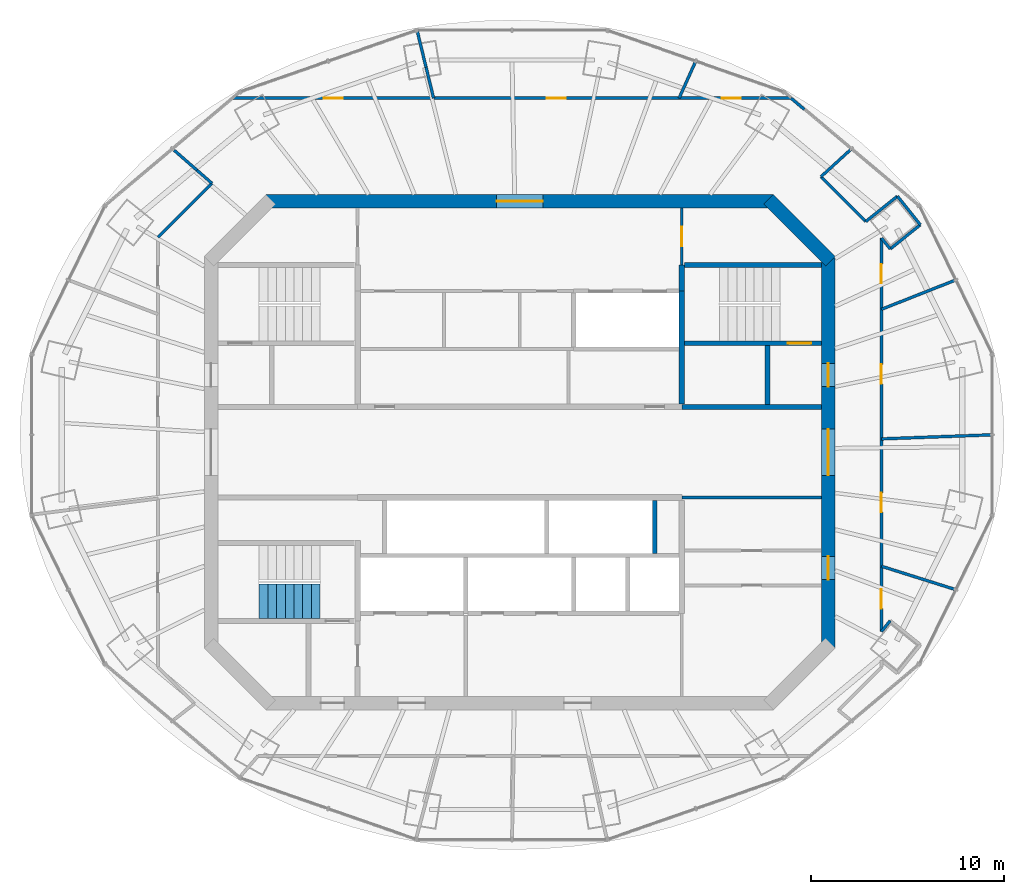
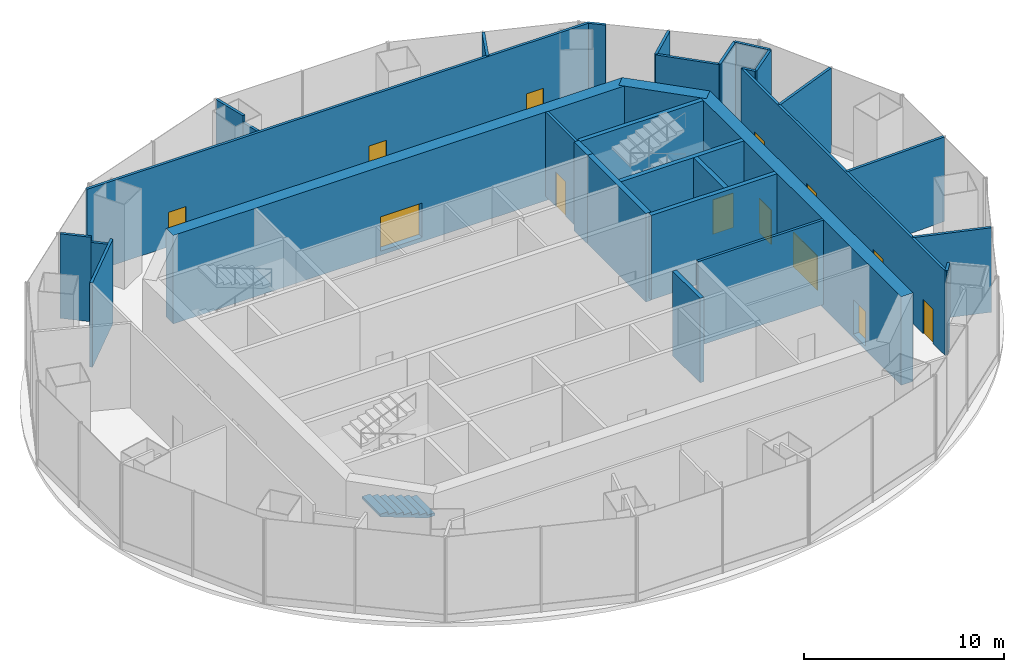
# One storey, part 9 of 11: 31 walls, 13 doors, 1 stair flight, 13 openings, 1 element without a shape of its own.
"""IFC4 building model written with IfcOpenShell, lengths in metres."""

import ifcopenshell
import ifcopenshell.guid

model = None  # the IFC model being written
_history = None  # IfcOwnerHistory: only IFC2X3 demands one
_inside = {}  # id of a spatial element -> (the spatial element, [elements in it])
_under = {}  # id of a project, library or spatial element -> (it, [spatial elements below it])
_declared = {}  # id of a project -> (the project, [libraries it declares])
_typed = {}  # id of a type object -> (the type object, [elements of that type])
_made_of = {}  # id of a material, layer set ... -> (it, [elements and type objects made of it])


def new_model(schema):
    """Start an empty IFC model of exactly this schema.

    Asked for "IFC4X3", IfcOpenShell would pick the latest addendum, in which some entities
    have other attributes; the version numbers below select the first issue.
    IFC2X3 requires an IfcOwnerHistory on every rooted entity: one is made here for all.
    """
    global model, _history
    if schema == "IFC4X3":
        model = ifcopenshell.file(schema_version=(4, 3, 0, 0))
    else:
        model = ifcopenshell.file(schema=schema)
    _inside.clear()
    _under.clear()
    _declared.clear()
    _typed.clear()
    _made_of.clear()
    _history = None
    if model.schema == "IFC2X3":
        org = make("IfcOrganization", Name="unknown")
        user = make(
            "IfcPersonAndOrganization",
            ThePerson=make("IfcPerson", FamilyName="unknown"),
            TheOrganization=org,
        )
        app = make(
            "IfcApplication",
            ApplicationDeveloper=org,
            Version="unknown",
            ApplicationFullName="unknown",
            ApplicationIdentifier="unknown",
        )
        _history = make(
            "IfcOwnerHistory",
            OwningUser=user,
            OwningApplication=app,
            ChangeAction="ADDED",
            CreationDate=0,
        )
    return model


def make(cls, **values):
    """One entity of the class cls with the attributes given. An attribute that is None is left unset."""
    return model.create_entity(
        cls, **{name: value for name, value in values.items() if value is not None}
    )


def rooted(cls, **values):
    """An entity with a GlobalId (a new one), such as an element, a storey or a relation."""
    return make(cls, GlobalId=ifcopenshell.guid.new(), OwnerHistory=_history, **values)


def si_unit(unit_type, name, prefix=None):
    """IfcSIUnit, for example si_unit("LENGTHUNIT", "METRE", prefix="MILLI")."""
    return make("IfcSIUnit", UnitType=unit_type, Prefix=prefix, Name=name)


def assignment(units):
    """IfcUnitAssignment: the units of a project."""
    return None if units is None else make("IfcUnitAssignment", Units=units)


def point(xyz):
    """IfcCartesianPoint."""
    return None if xyz is None else make("IfcCartesianPoint", Coordinates=xyz)


def direction(xyz):
    """IfcDirection."""
    return None if xyz is None else make("IfcDirection", DirectionRatios=xyz)


def frame(location, z_axis=None, x_axis=None):
    """IfcAxis2Placement3D, a coordinate frame: its origin and axes. An axis left out is left unset."""
    return make(
        "IfcAxis2Placement3D",
        Location=point(location),
        Axis=direction(z_axis),
        RefDirection=direction(x_axis),
    )


def frame_2d(location, x_axis=None):
    """IfcAxis2Placement2D, a coordinate frame in the plane: its origin and x axis."""
    return make(
        "IfcAxis2Placement2D", Location=point(location), RefDirection=direction(x_axis)
    )


def origin():
    """The frame at (0, 0, 0) with its axes left unset."""
    return frame((0.0, 0.0, 0.0))


def place(relative_to, where):
    """IfcLocalPlacement: puts the frame where relative to a parent placement (None: the world)."""
    return make(
        "IfcLocalPlacement", PlacementRelTo=relative_to, RelativePlacement=where
    )


def context(
    kind, dimensions, precision=None, world=None, true_north=None, identifier=None
):
    """IfcGeometricRepresentationContext, for example the 3D "Model" context."""
    return make(
        "IfcGeometricRepresentationContext",
        ContextIdentifier=identifier,
        ContextType=kind,
        CoordinateSpaceDimension=dimensions,
        Precision=precision,
        WorldCoordinateSystem=world,
        TrueNorth=true_north,
    )


def subcontext(parent, identifier, kind, view, scale=None):
    """IfcGeometricRepresentationSubContext, for example "Body" below "Model"."""
    return make(
        "IfcGeometricRepresentationSubContext",
        ContextIdentifier=identifier,
        ContextType=kind,
        ParentContext=parent,
        TargetScale=scale,
        TargetView=view,
    )


def project(units=None, contexts=None):
    """IfcProject with its units and contexts."""
    return rooted(
        "IfcProject",
        Name="project",
        RepresentationContexts=contexts,
        UnitsInContext=assignment(units),
    )


def spatial(cls, under=None, at=None, **own):
    """A site, building, storey or space (cls), placed at a placement, below another one or the project."""
    s = rooted(cls, ObjectPlacement=at, **own)
    if under is not None:
        _under.setdefault(under.id(), (under, []))[1].append(s)
    return s


def polyline(points):
    """IfcPolyline through the points."""
    return make("IfcPolyline", Points=[point(p) for p in points])


def profile(cls, at=None, kind="AREA", **sizes):
    """A parametric profile (cls). Its sizes go by their IFC names, for example OverallWidth=200.0."""
    return make(cls, ProfileType=kind, Position=at, **sizes)


def rectangle(**sizes):
    """IfcRectangleProfileDef."""
    return profile("IfcRectangleProfileDef", **sizes)


def outline(outer, holes=None, kind="AREA"):
    """IfcArbitraryClosedProfileDef: a profile drawn as a closed curve; with holes, ...WithVoids."""
    if holes is None:
        return make("IfcArbitraryClosedProfileDef", ProfileType=kind, OuterCurve=outer)
    return make(
        "IfcArbitraryProfileDefWithVoids",
        ProfileType=kind,
        OuterCurve=outer,
        InnerCurves=holes,
    )


def extrude(swept, where, along, depth):
    """IfcExtrudedAreaSolid: the profile swept, set in the frame where, extruded along a direction by depth."""
    return make(
        "IfcExtrudedAreaSolid",
        SweptArea=swept,
        Position=where,
        ExtrudedDirection=direction(along),
        Depth=depth,
    )


def shape(context_of_items, identifier, shape_type, items):
    """IfcShapeRepresentation: the items that make up one representation, for example the "Body"."""
    return make(
        "IfcShapeRepresentation",
        ContextOfItems=context_of_items,
        RepresentationIdentifier=identifier,
        RepresentationType=shape_type,
        Items=items,
    )


def material(Name=None, Category=None):
    """IfcMaterial."""
    return make("IfcMaterial", Name=Name, Category=Category)


def layer(
    of_material, thickness, ventilated=None, Name=None, Category=None, Priority=None
):
    """IfcMaterialLayer: one layer of a wall or slab, of a material (None: an air gap)."""
    return make(
        "IfcMaterialLayer",
        Material=of_material,
        LayerThickness=thickness,
        IsVentilated=ventilated,
        Name=Name,
        Category=Category,
        Priority=Priority,
    )


def layer_set(layers, Name=None):
    """IfcMaterialLayerSet."""
    return make("IfcMaterialLayerSet", MaterialLayers=layers, LayerSetName=Name)


def made_of(thing, what):
    """Note that an element or type object is made of a material, layer set ...; save() writes the relation."""
    if what is not None:
        _made_of.setdefault(what.id(), (what, []))[1].append(thing)
    return thing


def type_object(cls, material=None, **own):
    """A type object (cls), such as IfcWallType, which elements share."""
    return made_of(rooted(cls, **own), material)


def element(
    cls,
    number,
    at=None,
    inside=None,
    cuts=None,
    type_object=None,
    material=None,
    context=None,
    identifier="Body",
    shape_type=None,
    held_by="IfcProductDefinitionShape",
    body=None,
    shapes=None,
    **own,
):
    """One element of the class cls, such as IfcWall. Its Tag is "e" and its number.

    at: its placement. inside: the storey or other place that contains it. cuts: it is an
    opening in that element (IfcRelVoidsElement). A single representation is given by context,
    identifier, shape_type and body (its items); several are given by shapes. held_by: the class
    of the entity that holds the representations. save() writes the other relations.
    """
    e = rooted(cls, Tag="e%d" % number, ObjectPlacement=at, **own)
    if body is not None:
        shapes = [shape(context, identifier, shape_type, body)]
    if shapes is not None:
        e.Representation = make(held_by, Representations=shapes)
    if inside is not None:
        _inside.setdefault(inside.id(), (inside, []))[1].append(e)
    if cuts is not None:
        rooted(
            "IfcRelVoidsElement", RelatingBuildingElement=cuts, RelatedOpeningElement=e
        )
    if type_object is not None:
        _typed.setdefault(type_object.id(), (type_object, []))[1].append(e)
    return made_of(e, material)


def fill(opening, filler):
    """IfcRelFillsElement: the door or window that sits in an opening."""
    return rooted(
        "IfcRelFillsElement",
        RelatingOpeningElement=opening,
        RelatedBuildingElement=filler,
    )


def aggregate(whole, parts):
    """IfcRelAggregates: a whole, such as a stair, and the parts it consists of."""
    return rooted("IfcRelAggregates", RelatingObject=whole, RelatedObjects=parts)


def save(model, path):
    """Write the relations noted so far, then the file.

    IfcRelAggregates (storeys below a building ...), IfcRelContainedInSpatialStructure (elements
    in a storey), IfcRelDefinesByType, IfcRelAssociatesMaterial and IfcRelDeclares: one each for
    every whole, place, type object, material and project.
    """
    for whole, parts in _under.values():
        aggregate(whole, parts)
    for where, things in _inside.values():
        rooted(
            "IfcRelContainedInSpatialStructure",
            RelatedElements=things,
            RelatingStructure=where,
        )
    for kind, things in _typed.values():
        rooted("IfcRelDefinesByType", RelatedObjects=things, RelatingType=kind)
    for what, things in _made_of.values():
        rooted("IfcRelAssociatesMaterial", RelatedObjects=things, RelatingMaterial=what)
    for by, libraries in _declared.values():
        rooted("IfcRelDeclares", RelatingContext=by, RelatedDefinitions=libraries)
    model.write(path)


model = new_model("IFC4")

# Units and contexts
model_context = context("Model", 3, precision=1e-05, world=origin(), true_north=direction((0.0, 1.0)))
body_context = subcontext(model_context, "Body", "Model", "MODEL_VIEW")
ifc_project = project(units=[si_unit("LENGTHUNIT", "METRE"), si_unit("AREAUNIT", "SQUARE_METRE"), si_unit("VOLUMEUNIT", "CUBIC_METRE"), si_unit("PLANEANGLEUNIT", "RADIAN"), si_unit("MASSUNIT", "GRAM", prefix="KILO")], contexts=[model_context])

# Site, building, storey
site_placement = place(None, origin())
site = spatial("IfcSite", under=ifc_project, at=site_placement, CompositionType="ELEMENT")
building_placement = place(site_placement, origin())
building = spatial("IfcBuilding", under=site, at=building_placement, Name="Marenthal Gate Tower", CompositionType="ELEMENT")
storey_placement = place(building_placement, frame((0.0, 0.0, 396.550048828125)))
storey = spatial("IfcBuildingStorey", under=building, at=storey_placement, Name="L90", CompositionType="ELEMENT", Elevation=396.550048828125)

# Wall, openings, doors
ifc_material_1 = material(Name="Concrete 60 MPa", Category="concrete")
ifc_layer_1 = layer(ifc_material_1, 0.699951171875)
ifc_layer_set_1 = layer_set([ifc_layer_1], Name="Core shear wall 700")
wall_type_1 = type_object("IfcWallType", Name="Core shear wall 700", PredefinedType="SHEAR", material=ifc_layer_set_1)
wall_1_placement = place(storey_placement, frame((16.0, -10.14501953125, -0.25), z_axis=(0.0, 0.0, 1.0), x_axis=(0.0, 1.0, 0.0)))
wall_1 = element("IfcWall", 1, at=wall_1_placement, inside=storey, type_object=wall_type_1, Name="Core wall 02", PredefinedType="SHEAR", context=body_context, shape_type="SweptSolid", body=[
    extrude(rectangle(XDim=20.2900390625, YDim=0.699951171875, at=frame_2d((10.14501953125, 0.0))), origin(), (0.0, 0.0, 1.0), 5.39990234375),
])
opening_1_placement = place(wall_1_placement, frame((8.945068359375, 0.0, 0.25)))
opening_1 = element("IfcOpeningElement", 2, at=opening_1_placement, cuts=wall_1, Name="Opening D003.02", PredefinedType="OPENING", context=body_context, shape_type="SweptSolid", body=[
    extrude(rectangle(XDim=2.39990234375, YDim=2.10009765625, at=frame_2d((1.199951171875, 1.050048828125))), frame((0.0, 0.35986328125, 0.0), z_axis=(0.0, -1.0, 0.0), x_axis=(1.0, 0.0, 0.0)), (0.0, 0.0, 1.0), 0.719970703125),
])
opening_2_placement = place(wall_1_placement, frame((13.544921875, 0.0, 0.25)))
opening_2 = element("IfcOpeningElement", 3, at=opening_2_placement, cuts=wall_1, Name="Opening D001.05", PredefinedType="OPENING", context=body_context, shape_type="SweptSolid", body=[
    extrude(rectangle(XDim=1.199951171875, YDim=2.10009765625, at=frame_2d((0.60009765625, 1.050048828125))), frame((0.0, 0.35986328125, 0.0), z_axis=(0.0, -1.0, 0.0), x_axis=(1.0, 0.0, 0.0)), (0.0, 0.0, 1.0), 0.719970703125),
])
opening_3_placement = place(wall_1_placement, frame((3.544921875, 0.0, 0.25)))
opening_3 = element("IfcOpeningElement", 4, at=opening_3_placement, cuts=wall_1, Name="Opening D006.01", PredefinedType="OPENING", context=body_context, shape_type="SweptSolid", body=[
    extrude(rectangle(XDim=1.199951171875, YDim=2.10009765625, at=frame_2d((0.60009765625, 1.050048828125))), frame((0.0, 0.35986328125, 0.0), z_axis=(0.0, -1.0, 0.0), x_axis=(1.0, 0.0, 0.0)), (0.0, 0.0, 1.0), 0.719970703125),
])
ifc_material_2 = material(Name="Steel fire door", Category="steel")
door_type_1 = type_object("IfcDoorType", Name="Double fire door FD 45 2400 x 2100", OperationType="DOUBLE_DOOR_SINGLE_SWING", PredefinedType="DOOR", material=ifc_material_2)
door_1_placement = place(opening_1_placement, origin())
door_1 = element("IfcDoor", 5, at=door_1_placement, inside=storey, type_object=door_type_1, Name="Door D003.02", OperationType="DOUBLE_DOOR_SINGLE_SWING", OverallHeight=2.10009765625, OverallWidth=2.39990234375, PredefinedType="DOOR", context=body_context, shape_type="SweptSolid", body=[
    extrude(rectangle(XDim=2.39990234375, YDim=2.10009765625, at=frame_2d((1.199951171875, 1.050048828125))), frame((0.0, 0.02490234375, 0.0), z_axis=(0.0, -1.0, 0.0), x_axis=(1.0, 0.0, 0.0)), (0.0, 0.0, 1.0), 0.050048828125),
])
fill(opening_1, door_1)
ifc_material_3 = material(Name="Steel fire door", Category="steel")
door_type_2 = type_object("IfcDoorType", Name="Fire door FD 45 1200 x 2100", OperationType="NOTDEFINED", PredefinedType="DOOR", material=ifc_material_3)
door_2_placement = place(opening_3_placement, origin())
door_2 = element("IfcDoor", 6, at=door_2_placement, inside=storey, type_object=door_type_2, Name="Door D006.01", OperationType="SINGLE_SWING_RIGHT", OverallHeight=2.10009765625, OverallWidth=1.199951171875, PredefinedType="DOOR", context=body_context, shape_type="SweptSolid", body=[
    extrude(rectangle(XDim=1.199951171875, YDim=2.10009765625, at=frame_2d((0.60009765625, 1.050048828125))), frame((0.0, 0.02490234375, 0.0), z_axis=(0.0, -1.0, 0.0), x_axis=(1.0, 0.0, 0.0)), (0.0, 0.0, 1.0), 0.050048828125),
])
fill(opening_3, door_2)
ifc_material_4 = material(Name="Steel fire door", Category="steel")
door_type_3 = type_object("IfcDoorType", Name="Fire door FD 90 1200 x 2100", OperationType="NOTDEFINED", PredefinedType="DOOR", material=ifc_material_4)
door_3_placement = place(opening_2_placement, origin())
door_3 = element("IfcDoor", 7, at=door_3_placement, inside=storey, type_object=door_type_3, Name="Door D001.05", OperationType="SINGLE_SWING_RIGHT", OverallHeight=2.10009765625, OverallWidth=1.199951171875, PredefinedType="DOOR", context=body_context, shape_type="SweptSolid", body=[
    extrude(rectangle(XDim=1.199951171875, YDim=2.10009765625, at=frame_2d((0.60009765625, 1.050048828125))), frame((0.0, 0.02490234375, 0.0), z_axis=(0.0, -1.0, 0.0), x_axis=(1.0, 0.0, 0.0)), (0.0, 0.0, 1.0), 0.050048828125),
])
fill(opening_2, door_3)

# Wall
wall_2_placement = place(storey_placement, frame((16.1025390625, 9.8974609375, -0.25), z_axis=(0.0, 0.0, 1.0), x_axis=(-0.707106781187, 0.707106781187, 0.0)))
element("IfcWall", 8, at=wall_2_placement, inside=storey, type_object=wall_type_1, Name="Core wall 03", PredefinedType="SHEAR", context=body_context, shape_type="SweptSolid", body=[
    extrude(rectangle(XDim=4.53271484375, YDim=0.699951171875, at=frame_2d((2.266357421875, 0.0))), origin(), (0.0, 0.0, 1.0), 5.39990234375),
])

# Wall, opening, door
wall_3_placement = place(storey_placement, frame((13.14501953125, 13.0, -0.25), z_axis=(0.0, 0.0, 1.0), x_axis=(-1.0, 0.0, 0.0)))
wall_3 = element("IfcWall", 9, at=wall_3_placement, inside=storey, type_object=wall_type_1, Name="Core wall 04", PredefinedType="SHEAR", context=body_context, shape_type="SweptSolid", body=[
    extrude(rectangle(XDim=26.2900390625, YDim=0.699951171875, at=frame_2d((13.14501953125, 0.0))), origin(), (0.0, 0.0, 1.0), 5.39990234375),
])
opening_4_placement = place(wall_3_placement, frame((11.945068359375, 0.0, 0.25)))
opening_4 = element("IfcOpeningElement", 10, at=opening_4_placement, cuts=wall_3, Name="Opening D003.03", PredefinedType="OPENING", context=body_context, shape_type="SweptSolid", body=[
    extrude(rectangle(XDim=2.39990234375, YDim=2.10009765625, at=frame_2d((1.199951171875, 1.050048828125))), frame((0.0, 0.35986328125, 0.0), z_axis=(0.0, -1.0, 0.0), x_axis=(1.0, 0.0, 0.0)), (0.0, 0.0, 1.0), 0.719970703125),
])
door_4_placement = place(opening_4_placement, origin())
door_4 = element("IfcDoor", 11, at=door_4_placement, inside=storey, type_object=door_type_1, Name="Door D003.03", OperationType="DOUBLE_DOOR_SINGLE_SWING", OverallHeight=2.10009765625, OverallWidth=2.39990234375, PredefinedType="DOOR", context=body_context, shape_type="SweptSolid", body=[
    extrude(rectangle(XDim=2.39990234375, YDim=2.10009765625, at=frame_2d((1.199951171875, 1.050048828125))), frame((0.0, 0.02490234375, 0.0), z_axis=(0.0, -1.0, 0.0), x_axis=(1.0, 0.0, 0.0)), (0.0, 0.0, 1.0), 0.050048828125),
])
fill(opening_4, door_4)

# Walls
ifc_material_5 = material(Name="Concrete 50 MPa", Category="concrete")
ifc_layer_2 = layer(ifc_material_5, 0.300048828125)
ifc_layer_set_2 = layer_set([ifc_layer_2], Name="Hoistway shear wall 300")
wall_type_2 = type_object("IfcWallType", Name="Hoistway shear wall 300", PredefinedType="SHEAR", material=ifc_layer_set_2)
wall_4_placement = place(storey_placement, frame((8.39990234375, 2.5, -0.25), z_axis=(0.0, 0.0, 1.0), x_axis=(0.0, 1.0, 0.0)))
element("IfcWall", 12, at=wall_4_placement, inside=storey, type_object=wall_type_2, Name="Hoistway wall 50", PredefinedType="SHEAR", context=body_context, shape_type="SweptSolid", body=[
    extrude(rectangle(XDim=5.85009765625, YDim=0.300048828125, at=frame_2d((2.925048828125, 0.0))), origin(), (0.0, 0.0, 1.0), 5.39990234375),
])
ifc_material_6 = material(Name="Concrete 40 MPa", Category="concrete")
ifc_layer_3 = layer(ifc_material_6, 0.219970703125)
ifc_layer_set_3 = layer_set([ifc_layer_3], Name="Hoistway wall 220")
wall_type_3 = type_object("IfcWallType", Name="Hoistway wall 220", PredefinedType="STANDARD", material=ifc_layer_set_3)
wall_5_placement = place(storey_placement, frame((7.0, -5.239990234375, 0.0), z_axis=(0.0, 0.0, 1.0), x_axis=(0.0, 1.0, 0.0)))
element("IfcWall", 13, at=wall_5_placement, inside=storey, type_object=wall_type_3, Name="Hoistway wall 47", PredefinedType="STANDARD", context=body_context, shape_type="SweptSolid", body=[
    extrude(rectangle(XDim=2.739990234375, YDim=0.219970703125, at=frame_2d((1.3701171875, 0.0))), origin(), (0.0, 0.0, 1.0), 5.14990234375),
])
ifc_material_7 = material(Name="Gypsum board on steel studs", Category="steel")
ifc_layer_4 = layer(ifc_material_7, 0.14990234375)
ifc_layer_set_4 = layer_set([ifc_layer_4], Name="Partition 150")
wall_type_4 = type_object("IfcWallType", Name="Partition 150", PredefinedType="PARTITIONING", material=ifc_layer_set_4)
wall_6_placement = place(storey_placement, frame((8.39990234375, -2.35009765625, 0.0), z_axis=(0.0, 0.0, 1.0), x_axis=(1.0, 0.0, 0.0)))
element("IfcWall", 14, at=wall_6_placement, inside=storey, type_object=wall_type_4, Name="Partition wall 18", PredefinedType="PARTITIONING", context=body_context, shape_type="SweptSolid", body=[
    extrude(rectangle(XDim=7.25, YDim=0.14990234375, at=frame_2d((3.625, 0.0))), origin(), (0.0, 0.0, 1.0), 5.14990234375),
])

# Wall, opening, door
wall_7_placement = place(storey_placement, frame((8.39990234375, 9.699951171875, 0.0), z_axis=(0.0, 0.0, 1.0), x_axis=(0.0, 1.0, 0.0)))
wall_7 = element("IfcWall", 15, at=wall_7_placement, inside=storey, type_object=wall_type_4, Name="Partition wall 52", PredefinedType="PARTITIONING", context=body_context, shape_type="SweptSolid", body=[
    extrude(rectangle(XDim=2.949951171875, YDim=0.14990234375, at=frame_2d((1.47509765625, 0.0))), origin(), (0.0, 0.0, 1.0), 5.14990234375),
])
opening_5_placement = place(wall_7_placement, frame((0.97509765625, 0.0, 0.0)))
opening_5 = element("IfcOpeningElement", 16, at=opening_5_placement, cuts=wall_7, Name="Opening D005.07", PredefinedType="OPENING", context=body_context, shape_type="SweptSolid", body=[
    extrude(rectangle(XDim=1.0, YDim=2.10009765625, at=frame_2d((0.5, 1.050048828125))), frame((0.0, 0.0849609375, 0.0), z_axis=(0.0, -1.0, 0.0), x_axis=(1.0, 0.0, 0.0)), (0.0, 0.0, 1.0), 0.169921875),
])
ifc_material_8 = material(Name="Steel fire door", Category="steel")
door_type_4 = type_object("IfcDoorType", Name="Fire door FD 45 1000 x 2100", OperationType="NOTDEFINED", PredefinedType="DOOR", material=ifc_material_8)
door_5_placement = place(opening_5_placement, frame((1.0, 0.0, 0.0), z_axis=(0.0, 0.0, 1.0), x_axis=(-1.0, 0.0, 0.0)))
door_5 = element("IfcDoor", 17, at=door_5_placement, inside=storey, type_object=door_type_4, Name="Door D005.07", OperationType="SINGLE_SWING_LEFT", OverallHeight=2.10009765625, OverallWidth=1.0, PredefinedType="DOOR", context=body_context, shape_type="SweptSolid", body=[
    extrude(rectangle(XDim=1.0, YDim=2.10009765625, at=frame_2d((0.5, 1.050048828125))), frame((0.0, 0.02490234375, 0.0), z_axis=(0.0, -1.0, 0.0), x_axis=(1.0, 0.0, 0.0)), (0.0, 0.0, 1.0), 0.050048828125),
])
fill(opening_5, door_5)

# Wall, openings, doors
wall_8_placement = place(storey_placement, frame((-14.857421875, 18.35009765625, 0.0), z_axis=(0.0, 0.0, 1.0), x_axis=(1.0, 0.0, 0.0)))
wall_8 = element("IfcWall", 18, at=wall_8_placement, inside=storey, type_object=wall_type_4, Name="Partition wall 55", PredefinedType="PARTITIONING", context=body_context, shape_type="SweptSolid", body=[
    extrude(rectangle(XDim=28.914794921875, YDim=0.14990234375, at=frame_2d((14.45751953125, 0.0))), origin(), (0.0, 0.0, 1.0), 5.14990234375),
])
opening_6_placement = place(wall_8_placement, frame((25.316162109375, 0.0, 0.0)))
opening_6 = element("IfcOpeningElement", 19, at=opening_6_placement, cuts=wall_8, Name="Opening D012.03", PredefinedType="OPENING", context=body_context, shape_type="SweptSolid", body=[
    extrude(rectangle(XDim=1.0, YDim=2.10009765625, at=frame_2d((0.5, 1.050048828125))), frame((0.0, 0.0849609375, 0.0), z_axis=(0.0, -1.0, 0.0), x_axis=(1.0, 0.0, 0.0)), (0.0, 0.0, 1.0), 0.169921875),
])
opening_7_placement = place(wall_8_placement, frame((16.2548828125, 0.0, 0.0)))
opening_7 = element("IfcOpeningElement", 20, at=opening_7_placement, cuts=wall_8, Name="Opening D012.04", PredefinedType="OPENING", context=body_context, shape_type="SweptSolid", body=[
    extrude(rectangle(XDim=1.0, YDim=2.10009765625, at=frame_2d((0.5, 1.050048828125))), frame((0.0, 0.0849609375, 0.0), z_axis=(0.0, -1.0, 0.0), x_axis=(1.0, 0.0, 0.0)), (0.0, 0.0, 1.0), 0.169921875),
])
opening_8_placement = place(wall_8_placement, frame((4.696044921875, 0.0, 0.0)))
opening_8 = element("IfcOpeningElement", 21, at=opening_8_placement, cuts=wall_8, Name="Opening D012.05", PredefinedType="OPENING", context=body_context, shape_type="SweptSolid", body=[
    extrude(rectangle(XDim=1.0, YDim=2.10009765625, at=frame_2d((0.5, 1.050048828125))), frame((0.0, 0.0849609375, 0.0), z_axis=(0.0, -1.0, 0.0), x_axis=(1.0, 0.0, 0.0)), (0.0, 0.0, 1.0), 0.169921875),
])
ifc_material_9 = material(Name="Timber door", Category="wood")
door_type_5 = type_object("IfcDoorType", Name="Door 1000 x 2100", OperationType="NOTDEFINED", PredefinedType="DOOR", material=ifc_material_9)
door_6_placement = place(opening_6_placement, origin())
door_6 = element("IfcDoor", 22, at=door_6_placement, inside=storey, type_object=door_type_5, Name="Door D012.03", OperationType="SINGLE_SWING_RIGHT", OverallHeight=2.10009765625, OverallWidth=1.0, PredefinedType="DOOR", context=body_context, shape_type="SweptSolid", body=[
    extrude(rectangle(XDim=1.0, YDim=2.10009765625, at=frame_2d((0.5, 1.050048828125))), frame((0.0, 0.02490234375, 0.0), z_axis=(0.0, -1.0, 0.0), x_axis=(1.0, 0.0, 0.0)), (0.0, 0.0, 1.0), 0.050048828125),
])
fill(opening_6, door_6)
door_7_placement = place(opening_7_placement, origin())
door_7 = element("IfcDoor", 23, at=door_7_placement, inside=storey, type_object=door_type_5, Name="Door D012.04", OperationType="SINGLE_SWING_RIGHT", OverallHeight=2.10009765625, OverallWidth=1.0, PredefinedType="DOOR", context=body_context, shape_type="SweptSolid", body=[
    extrude(rectangle(XDim=1.0, YDim=2.10009765625, at=frame_2d((0.5, 1.050048828125))), frame((0.0, 0.02490234375, 0.0), z_axis=(0.0, -1.0, 0.0), x_axis=(1.0, 0.0, 0.0)), (0.0, 0.0, 1.0), 0.050048828125),
])
fill(opening_7, door_7)
door_8_placement = place(opening_8_placement, origin())
door_8 = element("IfcDoor", 24, at=door_8_placement, inside=storey, type_object=door_type_5, Name="Door D012.05", OperationType="SINGLE_SWING_RIGHT", OverallHeight=2.10009765625, OverallWidth=1.0, PredefinedType="DOOR", context=body_context, shape_type="SweptSolid", body=[
    extrude(rectangle(XDim=1.0, YDim=2.10009765625, at=frame_2d((0.5, 1.050048828125))), frame((0.0, 0.02490234375, 0.0), z_axis=(0.0, -1.0, 0.0), x_axis=(1.0, 0.0, 0.0)), (0.0, 0.0, 1.0), 0.050048828125),
])
fill(opening_8, door_8)

# Walls
wall_9_placement = place(storey_placement, frame((18.75, 0.68896484375, 0.0), z_axis=(0.0, 0.0, 1.0), x_axis=(0.999324436598, 0.036751468252, 0.0)))
element("IfcWall", 25, at=wall_9_placement, inside=storey, type_object=wall_type_4, Name="Partition wall 56", PredefinedType="PARTITIONING", context=body_context, shape_type="SweptSolid", body=[
    extrude(rectangle(XDim=5.726318359375, YDim=0.14990234375, at=frame_2d((2.86328125, 0.0))), origin(), (0.0, 0.0, 1.0), 5.14990234375),
])
wall_10_placement = place(storey_placement, frame((18.75, 7.405029296875, 0.0), z_axis=(0.0, 0.0, 1.0), x_axis=(0.930087514152, 0.367338013305, 0.0)))
element("IfcWall", 26, at=wall_10_placement, inside=storey, type_object=wall_type_4, Name="Partition wall 58", PredefinedType="PARTITIONING", context=body_context, shape_type="SweptSolid", body=[
    extrude(rectangle(XDim=4.11669921875, YDim=0.14990234375, at=frame_2d((2.058349609375, 0.0))), origin(), (0.0, 0.0, 1.0), 5.14990234375),
])
wall_11_placement = place(storey_placement, frame((19.2041015625, 10.533447265625, 0.0), z_axis=(0.0, 0.0, 1.0), x_axis=(0.779700462406, 0.626152688187, 0.0)))
element("IfcWall", 27, at=wall_11_placement, inside=storey, type_object=wall_type_4, Name="Partition wall 60", PredefinedType="PARTITIONING", context=body_context, shape_type="SweptSolid", body=[
    extrude(rectangle(XDim=2.000244140625, YDim=0.14990234375, at=frame_2d((1.0, 0.0))), origin(), (0.0, 0.0, 1.0), 5.14990234375),
])
wall_12_placement = place(storey_placement, frame((17.936767578125, 11.952392578125, 0.0), z_axis=(0.0, 0.0, 1.0), x_axis=(0.779676200118, 0.626182898976, 0.0)))
element("IfcWall", 28, at=wall_12_placement, inside=storey, type_object=wall_type_4, Name="Partition wall 61", PredefinedType="PARTITIONING", context=body_context, shape_type="SweptSolid", body=[
    extrude(rectangle(XDim=2.099609375, YDim=0.14990234375, at=frame_2d((1.0498046875, 0.0))), origin(), (0.0, 0.0, 1.0), 5.14990234375),
])
wall_13_placement = place(storey_placement, frame((15.613525390625, 14.275634765625, 0.0), z_axis=(0.0, 0.0, 1.0), x_axis=(0.738014143535, 0.674785242831, 0.0)))
element("IfcWall", 29, at=wall_13_placement, inside=storey, type_object=wall_type_4, Name="Partition wall 62", PredefinedType="PARTITIONING", context=body_context, shape_type="SweptSolid", body=[
    extrude(rectangle(XDim=2.13134765625, YDim=0.14990234375, at=frame_2d((1.065673828125, 0.0))), origin(), (0.0, 0.0, 1.0), 5.14990234375),
])
wall_14_placement = place(storey_placement, frame((-18.75, 11.13916015625, 0.0), z_axis=(0.0, 0.0, 1.0), x_axis=(0.707106781187, 0.707106781187, 0.0)))
element("IfcWall", 30, at=wall_14_placement, inside=storey, type_object=wall_type_4, Name="Partition wall 64", PredefinedType="PARTITIONING", context=body_context, shape_type="SweptSolid", body=[
    extrude(rectangle(XDim=3.961669921875, YDim=0.14990234375, at=frame_2d((1.98095703125, 0.0))), origin(), (0.0, 0.0, 1.0), 5.14990234375),
])
wall_15_placement = place(storey_placement, frame((18.75, -9.299072265625, 0.0), z_axis=(0.0, 0.0, 1.0), x_axis=(0.626007581317, 0.77981697092, 0.0)))
element("IfcWall", 31, at=wall_15_placement, inside=storey, type_object=wall_type_4, Name="Partition wall 66", PredefinedType="PARTITIONING", context=body_context, shape_type="SweptSolid", body=[
    extrude(rectangle(XDim=0.725341796875, YDim=0.14990234375, at=frame_2d((0.36279296875, 0.0))), origin(), (0.0, 0.0, 1.0), 5.14990234375),
])
wall_16_placement = place(storey_placement, frame((8.26025390625, 18.35009765625, 0.0), z_axis=(0.0, 0.0, 1.0), x_axis=(0.410515339892, 0.911853692055, 0.0)))
element("IfcWall", 32, at=wall_16_placement, inside=storey, type_object=wall_type_4, Name="Partition wall 67", PredefinedType="PARTITIONING", context=body_context, shape_type="SweptSolid", body=[
    extrude(rectangle(XDim=2.088623046875, YDim=0.14990234375, at=frame_2d((1.04443359375, 0.0))), origin(), (0.0, 0.0, 1.0), 5.14990234375),
])

# Wall, openings, doors
wall_17_placement = place(storey_placement, frame((18.75, -9.299072265625, 0.0), z_axis=(0.0, 0.0, 1.0), x_axis=(0.0, 1.0, 0.0)))
wall_17 = element("IfcWall", 33, at=wall_17_placement, inside=storey, type_object=wall_type_4, Name="Partition wall 69", PredefinedType="PARTITIONING", context=body_context, shape_type="SweptSolid", body=[
    extrude(rectangle(XDim=20.398193359375, YDim=0.14990234375, at=frame_2d((10.19921875, 0.0))), origin(), (0.0, 0.0, 1.0), 5.14990234375),
])
opening_9_placement = place(wall_17_placement, frame((12.845947265625, 0.0, 0.0)))
opening_9 = element("IfcOpeningElement", 34, at=opening_9_placement, cuts=wall_17, Name="Opening D012.01", PredefinedType="OPENING", context=body_context, shape_type="SweptSolid", body=[
    extrude(rectangle(XDim=1.0, YDim=2.10009765625, at=frame_2d((0.5, 1.050048828125))), frame((0.0, 0.0849609375, 0.0), z_axis=(0.0, -1.0, 0.0), x_axis=(1.0, 0.0, 0.0)), (0.0, 0.0, 1.0), 0.169921875),
])
opening_10_placement = place(wall_17_placement, frame((18.051025390625, 0.0, 0.0)))
opening_10 = element("IfcOpeningElement", 35, at=opening_10_placement, cuts=wall_17, Name="Opening D012.02", PredefinedType="OPENING", context=body_context, shape_type="SweptSolid", body=[
    extrude(rectangle(XDim=1.0, YDim=2.10009765625, at=frame_2d((0.5, 1.050048828125))), frame((0.0, 0.0849609375, 0.0), z_axis=(0.0, -1.0, 0.0), x_axis=(1.0, 0.0, 0.0)), (0.0, 0.0, 1.0), 0.169921875),
])
opening_11_placement = place(wall_17_placement, frame((1.193603515625, 0.0, 0.0)))
opening_11 = element("IfcOpeningElement", 36, at=opening_11_placement, cuts=wall_17, Name="Opening D012.11", PredefinedType="OPENING", context=body_context, shape_type="SweptSolid", body=[
    extrude(rectangle(XDim=1.0, YDim=2.10009765625, at=frame_2d((0.5, 1.050048828125))), frame((0.0, 0.0849609375, 0.0), z_axis=(0.0, -1.0, 0.0), x_axis=(1.0, 0.0, 0.0)), (0.0, 0.0, 1.0), 0.169921875),
])
opening_12_placement = place(wall_17_placement, frame((6.187744140625, 0.0, 0.0)))
opening_12 = element("IfcOpeningElement", 37, at=opening_12_placement, cuts=wall_17, Name="Opening D012.12", PredefinedType="OPENING", context=body_context, shape_type="SweptSolid", body=[
    extrude(rectangle(XDim=1.0, YDim=2.10009765625, at=frame_2d((0.5, 1.050048828125))), frame((0.0, 0.0849609375, 0.0), z_axis=(0.0, -1.0, 0.0), x_axis=(1.0, 0.0, 0.0)), (0.0, 0.0, 1.0), 0.169921875),
])
door_9_placement = place(opening_9_placement, frame((1.0, 0.0, 0.0), z_axis=(0.0, 0.0, 1.0), x_axis=(-1.0, 0.0, 0.0)))
door_9 = element("IfcDoor", 38, at=door_9_placement, inside=storey, type_object=door_type_5, Name="Door D012.01", OperationType="SINGLE_SWING_LEFT", OverallHeight=2.10009765625, OverallWidth=1.0, PredefinedType="DOOR", context=body_context, shape_type="SweptSolid", body=[
    extrude(rectangle(XDim=1.0, YDim=2.10009765625, at=frame_2d((0.5, 1.050048828125))), frame((0.0, 0.02490234375, 0.0), z_axis=(0.0, -1.0, 0.0), x_axis=(1.0, 0.0, 0.0)), (0.0, 0.0, 1.0), 0.050048828125),
])
fill(opening_9, door_9)
door_10_placement = place(opening_10_placement, frame((1.0, 0.0, 0.0), z_axis=(0.0, 0.0, 1.0), x_axis=(-1.0, 0.0, 0.0)))
door_10 = element("IfcDoor", 39, at=door_10_placement, inside=storey, type_object=door_type_5, Name="Door D012.02", OperationType="SINGLE_SWING_LEFT", OverallHeight=2.10009765625, OverallWidth=1.0, PredefinedType="DOOR", context=body_context, shape_type="SweptSolid", body=[
    extrude(rectangle(XDim=1.0, YDim=2.10009765625, at=frame_2d((0.5, 1.050048828125))), frame((0.0, 0.02490234375, 0.0), z_axis=(0.0, -1.0, 0.0), x_axis=(1.0, 0.0, 0.0)), (0.0, 0.0, 1.0), 0.050048828125),
])
fill(opening_10, door_10)
door_11_placement = place(opening_11_placement, frame((1.0, 0.0, 0.0), z_axis=(0.0, 0.0, 1.0), x_axis=(-1.0, 0.0, 0.0)))
door_11 = element("IfcDoor", 40, at=door_11_placement, inside=storey, type_object=door_type_5, Name="Door D012.11", OperationType="SINGLE_SWING_LEFT", OverallHeight=2.10009765625, OverallWidth=1.0, PredefinedType="DOOR", context=body_context, shape_type="SweptSolid", body=[
    extrude(rectangle(XDim=1.0, YDim=2.10009765625, at=frame_2d((0.5, 1.050048828125))), frame((0.0, 0.02490234375, 0.0), z_axis=(0.0, -1.0, 0.0), x_axis=(1.0, 0.0, 0.0)), (0.0, 0.0, 1.0), 0.050048828125),
])
fill(opening_11, door_11)
door_12_placement = place(opening_12_placement, frame((1.0, 0.0, 0.0), z_axis=(0.0, 0.0, 1.0), x_axis=(-1.0, 0.0, 0.0)))
door_12 = element("IfcDoor", 41, at=door_12_placement, inside=storey, type_object=door_type_5, Name="Door D012.12", OperationType="SINGLE_SWING_LEFT", OverallHeight=2.10009765625, OverallWidth=1.0, PredefinedType="DOOR", context=body_context, shape_type="SweptSolid", body=[
    extrude(rectangle(XDim=1.0, YDim=2.10009765625, at=frame_2d((0.5, 1.050048828125))), frame((0.0, 0.02490234375, 0.0), z_axis=(0.0, -1.0, 0.0), x_axis=(1.0, 0.0, 0.0)), (0.0, 0.0, 1.0), 0.050048828125),
])
fill(opening_12, door_12)

# Walls
wall_18_placement = place(storey_placement, frame((-4.465087890625, 18.35009765625, 0.0), z_axis=(0.0, 0.0, 1.0), x_axis=(-0.236464997357, 0.971640007938, 0.0)))
element("IfcWall", 42, at=wall_18_placement, inside=storey, type_object=wall_type_4, Name="Partition wall 72", PredefinedType="PARTITIONING", context=body_context, shape_type="SweptSolid", body=[
    extrude(rectangle(XDim=1.647705078125, YDim=0.14990234375, at=frame_2d((0.82373046875, 0.0))), origin(), (0.0, 0.0, 1.0), 4.73291015625),
])
wall_19_placement = place(storey_placement, frame((-4.854736328125, 19.951171875, 0.0), z_axis=(0.0, 0.0, 1.0), x_axis=(-0.236354768528, 0.971666827361, 0.0)))
element("IfcWall", 43, at=wall_19_placement, inside=storey, type_object=wall_type_4, Name="Partition wall 90", PredefinedType="PARTITIONING", context=body_context, shape_type="SweptSolid", body=[
    extrude(rectangle(XDim=1.953369140625, YDim=0.14990234375, at=frame_2d((0.9765625, 0.0))), origin(), (0.0, 0.0, 1.0), 5.14990234375),
])
wall_20_placement = place(storey_placement, frame((20.763671875, 11.785888671875, 0.0), z_axis=(0.0, 0.0, 1.0), x_axis=(-0.626292110391, 0.779588476353, 0.0)))
element("IfcWall", 44, at=wall_20_placement, inside=storey, type_object=wall_type_4, Name="Partition wall 73", PredefinedType="PARTITIONING", context=body_context, shape_type="SweptSolid", body=[
    extrude(rectangle(XDim=1.89990234375, YDim=0.14990234375, at=frame_2d((0.949951171875, 0.0))), origin(), (0.0, 0.0, 1.0), 5.14990234375),
])
wall_21_placement = place(storey_placement, frame((19.2041015625, 10.533447265625, 0.0), z_axis=(0.0, 0.0, 1.0), x_axis=(-0.626007581317, 0.77981697092, 0.0)))
element("IfcWall", 45, at=wall_21_placement, inside=storey, type_object=wall_type_4, Name="Partition wall 74", PredefinedType="PARTITIONING", context=body_context, shape_type="SweptSolid", body=[
    extrude(rectangle(XDim=0.725341796875, YDim=0.14990234375, at=frame_2d((0.36279296875, 0.0))), origin(), (0.0, 0.0, 1.0), 5.14990234375),
])
wall_22_placement = place(storey_placement, frame((17.936767578125, 11.952392578125, 0.0), z_axis=(0.0, 0.0, 1.0), x_axis=(-0.707106781187, 0.707106781187, 0.0)))
element("IfcWall", 46, at=wall_22_placement, inside=storey, type_object=wall_type_4, Name="Partition wall 75", PredefinedType="PARTITIONING", context=body_context, shape_type="SweptSolid", body=[
    extrude(rectangle(XDim=3.290283203125, YDim=0.14990234375, at=frame_2d((1.64501953125, 0.0))), origin(), (0.0, 0.0, 1.0), 5.14990234375),
])
wall_23_placement = place(storey_placement, frame((-15.9521484375, 13.93701171875, 0.0), z_axis=(0.0, 0.0, 1.0), x_axis=(-0.753175860567, 0.657819217612, 0.0)))
element("IfcWall", 47, at=wall_23_placement, inside=storey, type_object=wall_type_4, Name="Partition wall 77", PredefinedType="PARTITIONING", context=body_context, shape_type="SweptSolid", body=[
    extrude(rectangle(XDim=1.034423828125, YDim=0.14990234375, at=frame_2d((0.51708984375, 0.0))), origin(), (0.0, 0.0, 1.0), 4.83984375),
])
wall_24_placement = place(storey_placement, frame((-16.731201171875, 14.617431640625, 0.0), z_axis=(0.0, 0.0, 1.0), x_axis=(-0.753048092567, 0.657965478032, 0.0)))
element("IfcWall", 48, at=wall_24_placement, inside=storey, type_object=wall_type_4, Name="Partition wall 91", PredefinedType="PARTITIONING", context=body_context, shape_type="SweptSolid", body=[
    extrude(rectangle(XDim=1.571533203125, YDim=0.14990234375, at=frame_2d((0.78564453125, 0.0))), origin(), (0.0, 0.0, 1.0), 5.14990234375),
])
wall_25_placement = place(storey_placement, frame((14.75, 17.766357421875, 0.0), z_axis=(0.0, 0.0, 1.0), x_axis=(-0.764652528839, 0.644442790432, 0.0)))
element("IfcWall", 49, at=wall_25_placement, inside=storey, type_object=wall_type_4, Name="Partition wall 78", PredefinedType="PARTITIONING", context=body_context, shape_type="SweptSolid", body=[
    extrude(rectangle(XDim=0.90576171875, YDim=0.14990234375, at=frame_2d((0.452880859375, 0.0))), origin(), (0.0, 0.0, 1.0), 5.14990234375),
])
wall_26_placement = place(storey_placement, frame((22.578125, -7.118408203125, 0.0), z_axis=(0.0, 0.0, 1.0), x_axis=(-0.953732387446, 0.30065683617, 0.0)))
element("IfcWall", 50, at=wall_26_placement, inside=storey, type_object=wall_type_4, Name="Partition wall 83", PredefinedType="PARTITIONING", context=body_context, shape_type="SweptSolid", body=[
    extrude(rectangle(XDim=4.013916015625, YDim=0.14990234375, at=frame_2d((2.0068359375, 0.0))), origin(), (0.0, 0.0, 1.0), 5.14990234375),
])
ifc_material_10 = material(Name="Concrete 40 MPa", Category="concrete")
ifc_layer_5 = layer(ifc_material_10, 0.25)
ifc_layer_set_5 = layer_set([ifc_layer_5], Name="Stair enclosure wall 250")
wall_type_5 = type_object("IfcWallType", Name="Stair enclosure wall 250", PredefinedType="STANDARD", material=ifc_layer_set_5)
wall_27_placement = place(storey_placement, frame((8.39990234375, 2.35009765625, 0.0), z_axis=(0.0, 0.0, 1.0), x_axis=(1.0, 0.0, 0.0)))
element("IfcWall", 51, at=wall_27_placement, inside=storey, type_object=wall_type_5, Name="Stair wall 21", PredefinedType="STANDARD", context=body_context, shape_type="SweptSolid", body=[
    extrude(rectangle(XDim=7.25, YDim=0.25, at=frame_2d((3.625, 0.0))), origin(), (0.0, 0.0, 1.0), 5.14990234375),
])
wall_28_placement = place(storey_placement, frame((12.85009765625, 2.47509765625, 0.0), z_axis=(0.0, 0.0, 1.0), x_axis=(0.0, 1.0, 0.0)))
element("IfcWall", 52, at=wall_28_placement, inside=storey, type_object=wall_type_5, Name="Stair wall 53", PredefinedType="STANDARD", context=body_context, shape_type="SweptSolid", body=[
    extrude(rectangle(XDim=3.0498046875, YDim=0.25, at=frame_2d((1.52490234375, 0.0))), origin(), (0.0, 0.0, 1.0), 5.14990234375),
])

# Wall, opening, door
ifc_material_11 = material(Name="Concrete 50 MPa", Category="concrete")
ifc_layer_6 = layer(ifc_material_11, 0.25)
ifc_layer_set_6 = layer_set([ifc_layer_6], Name="Stair shear wall 250")
wall_type_6 = type_object("IfcWallType", Name="Stair shear wall 250", PredefinedType="SHEAR", material=ifc_layer_set_6)
wall_29_placement = place(storey_placement, frame((8.550048828125, 5.64990234375, -0.25), z_axis=(0.0, 0.0, 1.0), x_axis=(1.0, 0.0, 0.0)))
wall_29 = element("IfcWall", 53, at=wall_29_placement, inside=storey, type_object=wall_type_6, Name="Stair wall 25", PredefinedType="SHEAR", context=body_context, shape_type="SweptSolid", body=[
    extrude(rectangle(XDim=7.099853515625, YDim=0.25, at=frame_2d((3.5498046875, 0.0))), origin(), (0.0, 0.0, 1.0), 5.39990234375),
])
opening_13_placement = place(wall_29_placement, frame((5.35009765625, 0.0, 0.25)))
opening_13 = element("IfcOpeningElement", 54, at=opening_13_placement, cuts=wall_29, Name="Opening D001.02", PredefinedType="OPENING", context=body_context, shape_type="SweptSolid", body=[
    extrude(rectangle(XDim=1.199951171875, YDim=2.10009765625, at=frame_2d((0.60009765625, 1.050048828125))), frame((0.0, 0.135009765625, 0.0), z_axis=(0.0, -1.0, 0.0), x_axis=(1.0, 0.0, 0.0)), (0.0, 0.0, 1.0), 0.27001953125),
])
door_13_placement = place(opening_13_placement, origin())
door_13 = element("IfcDoor", 55, at=door_13_placement, inside=storey, type_object=door_type_3, Name="Door D001.02", OperationType="SINGLE_SWING_RIGHT", OverallHeight=2.10009765625, OverallWidth=1.199951171875, PredefinedType="DOOR", context=body_context, shape_type="SweptSolid", body=[
    extrude(rectangle(XDim=1.199951171875, YDim=2.10009765625, at=frame_2d((0.60009765625, 1.050048828125))), frame((0.0, 0.02490234375, 0.0), z_axis=(0.0, -1.0, 0.0), x_axis=(1.0, 0.0, 0.0)), (0.0, 0.0, 1.0), 0.050048828125),
])
fill(opening_13, door_13)

# Walls
wall_30_placement = place(storey_placement, frame((8.550048828125, 9.699951171875, -0.25), z_axis=(0.0, 0.0, 1.0), x_axis=(1.0, 0.0, 0.0)))
element("IfcWall", 56, at=wall_30_placement, inside=storey, type_object=wall_type_6, Name="Stair wall 29", PredefinedType="SHEAR", context=body_context, shape_type="SweptSolid", body=[
    extrude(rectangle(XDim=7.099853515625, YDim=0.25, at=frame_2d((3.5498046875, 0.0))), origin(), (0.0, 0.0, 1.0), 5.39990234375),
])
ifc_material_12 = material(Name="Concrete 50 MPa", Category="concrete")
ifc_layer_7 = layer(ifc_material_12, 0.300048828125)
ifc_layer_set_7 = layer_set([ifc_layer_7], Name="Stair shear wall 300")
wall_type_7 = type_object("IfcWallType", Name="Stair shear wall 300", PredefinedType="SHEAR", material=ifc_layer_set_7)
wall_31_placement = place(storey_placement, frame((8.39990234375, 8.35009765625, -0.25), z_axis=(0.0, 0.0, 1.0), x_axis=(0.0, 1.0, 0.0)))
element("IfcWall", 57, at=wall_31_placement, inside=storey, type_object=wall_type_7, Name="Stair wall 51", PredefinedType="SHEAR", context=body_context, shape_type="SweptSolid", body=[
    extrude(rectangle(XDim=1.349853515625, YDim=0.300048828125, at=frame_2d((0.6748046875, 0.0))), origin(), (0.0, 0.0, 1.0), 5.39990234375),
])

# Stair, stair flight
ifc_material_13 = material(Name="Concrete 40 MPa", Category="concrete")
stair_type = type_object("IfcStairType", Name="Exit stair 1800", PredefinedType="HALF_TURN_STAIR", material=ifc_material_13)
stair_placement = place(storey_placement, origin())
stair = element("IfcStair", 58, at=stair_placement, inside=storey, type_object=stair_type, Name="Stair ST2", PredefinedType="HALF_TURN_STAIR")
ifc_material_14 = material(Name="Concrete 40 MPa", Category="concrete")
stair_flight_type = type_object("IfcStairFlightType", Name="Stair flight 1800", PredefinedType="STRAIGHT", material=ifc_material_14)
stair_flight_placement = place(storey_placement, frame((-10.35009765625, -7.72509765625, 0.0), z_axis=(0.0, 0.0, 1.0), x_axis=(-1.0, 0.0, 0.0)))
stair_flight = element("IfcStairFlight", 59, at=stair_flight_placement, type_object=stair_flight_type, Name="ST2 flight 1", NumberOfRisers=8, NumberOfTreads=7, PredefinedType="STRAIGHT", RiserHeight=0.16875, TreadLength=0.45, context=body_context, shape_type="SweptSolid", body=[
    extrude(outline(polyline([(0.0, 0.0), (0.0, 0.168701171875), (0.449951171875, 0.168701171875), (0.449951171875, 0.33740234375), (0.89990234375, 0.33740234375), (0.89990234375, 0.50634765625), (1.35009765625, 0.50634765625), (1.35009765625, 0.675048828125), (1.800048828125, 0.675048828125), (1.800048828125, 0.84375), (2.25, 0.84375), (2.25, 1.012451171875), (2.699951171875, 1.012451171875), (2.699951171875, 1.18115234375), (3.14990234375, 1.18115234375), (3.14990234375, 1.35009765625), (3.14990234375, 1.021240234375), (0.427001953125, 0.0), (0.0, 0.0)])), frame((0.0, 0.89990234375, 0.0), z_axis=(0.0, -1.0, 0.0), x_axis=(1.0, 0.0, 0.0)), (0.0, 0.0, 1.0), 1.800048828125),
])
aggregate(stair, [stair_flight])

save(model, "model.ifc")
